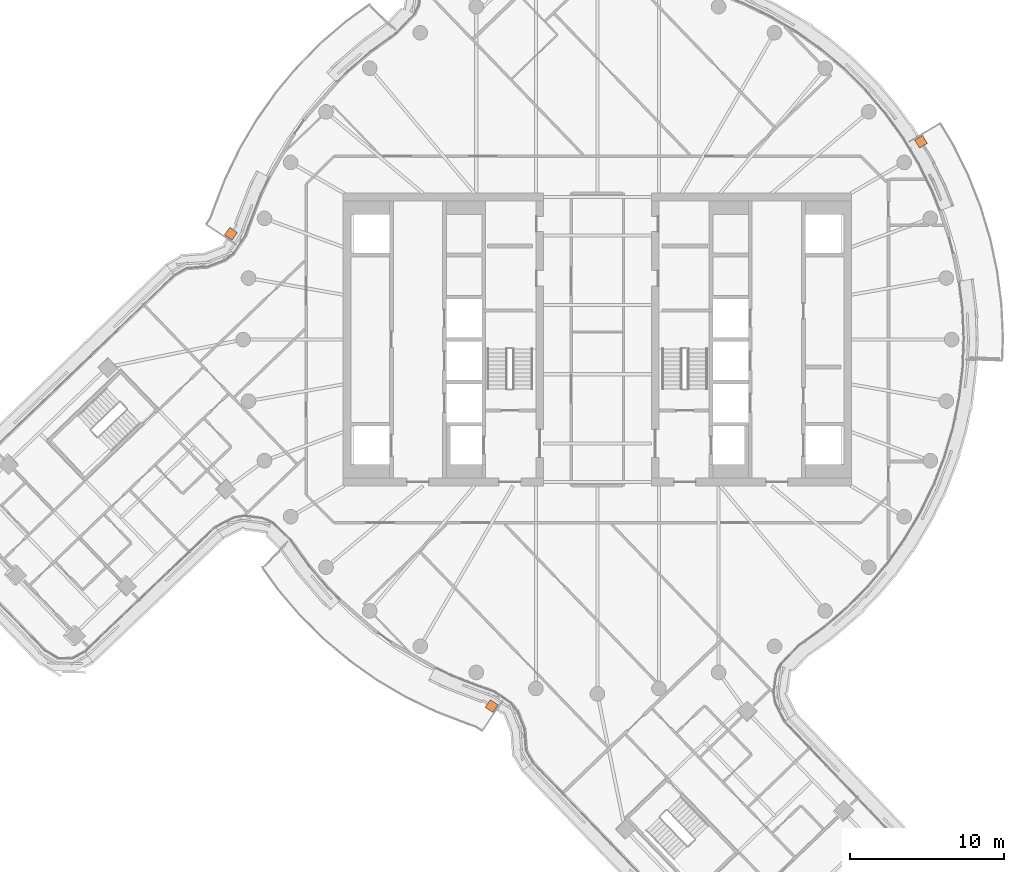
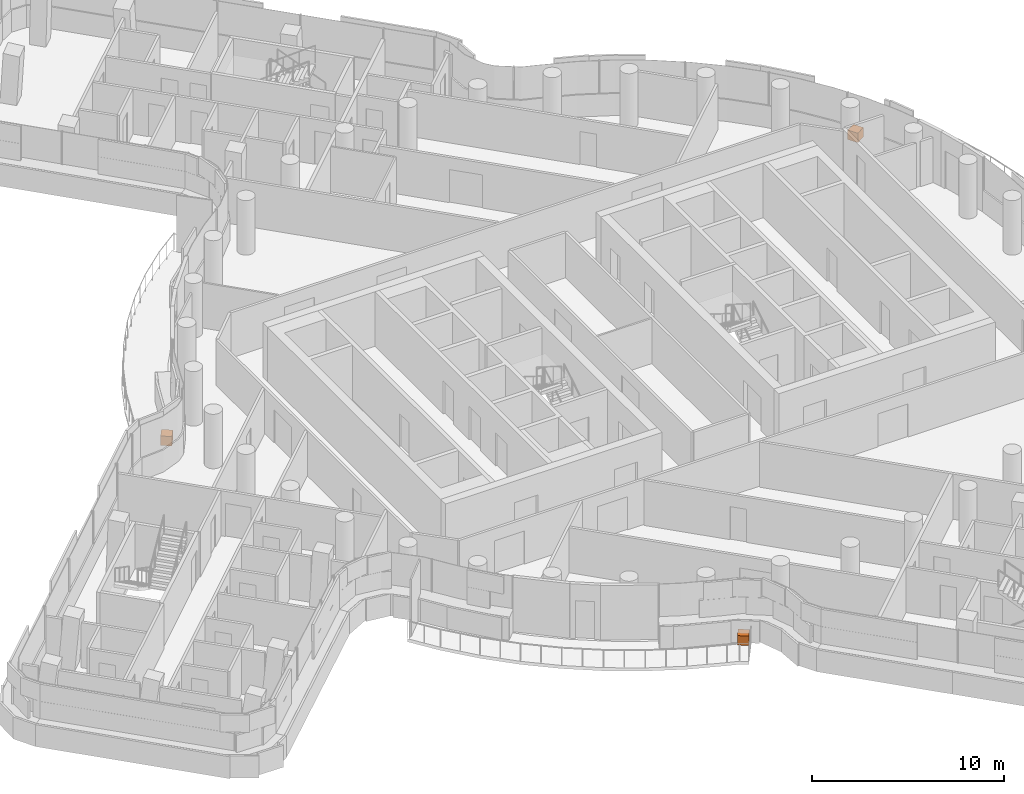
# One storey, part 34 of 34: 3 proxies.
"""IFC4 building model written with IfcOpenShell, lengths in metres."""

from ifc_helpers import new_model, si_unit, direction, frame, origin, origin_2d, place, context, subcontext, project, spatial, rectangle, extrude, material, type_object, element, save


model = new_model("IFC4")

# Units and contexts
model_context = context("Model", 3, precision=1e-05, world=origin(), true_north=direction((0.0, 1.0)))
body_context = subcontext(model_context, "Body", "Model", "MODEL_VIEW")
ifc_project = project(units=[si_unit("LENGTHUNIT", "METRE"), si_unit("AREAUNIT", "SQUARE_METRE"), si_unit("VOLUMEUNIT", "CUBIC_METRE"), si_unit("PLANEANGLEUNIT", "RADIAN"), si_unit("MASSUNIT", "GRAM", prefix="KILO")], contexts=[model_context])

# Site, building, storey
site_placement = place(None, origin())
site = spatial("IfcSite", under=ifc_project, at=site_placement, CompositionType="ELEMENT")
building_placement = place(site_placement, origin())
building = spatial("IfcBuilding", under=site, at=building_placement, Name="Tamarind Cross Interchange Tower", CompositionType="ELEMENT")
storey_placement = place(building_placement, frame((0.0, 0.0, 193.300048828125)))
storey = spatial("IfcBuildingStorey", under=building, at=storey_placement, Name="L48", CompositionType="ELEMENT", Elevation=193.300048828125)

# Proxies
ifc_material = material(Name="Concrete C30", Category="concrete")
building_element_proxy_type = type_object("IfcBuildingElementProxyType", Name="Planter", PredefinedType="USERDEFINED", material=ifc_material)
proxy_1_placement = place(storey_placement, origin())
element("IfcBuildingElementProxy", 1, at=proxy_1_placement, inside=storey, type_object=building_element_proxy_type, Name="PLT-L48-BAL02", ObjectType="Planter", PredefinedType="USERDEFINED", context=body_context, shape_type="SweptSolid", body=[
    extrude(rectangle(XDim=0.60009765625, YDim=0.60009765625, at=origin_2d()), frame((-6.868408203125, -23.791015625, 0.0), z_axis=(0.0, 0.0, 1.0), x_axis=(0.829016203215, -0.559224583515, 0.0)), (0.0, 0.0, 1.0), 0.60009765625),
])
proxy_2_placement = place(storey_placement, origin())
element("IfcBuildingElementProxy", 2, at=proxy_2_placement, inside=storey, type_object=building_element_proxy_type, Name="PLT-L48-BAL06", ObjectType="Planter", PredefinedType="USERDEFINED", context=body_context, shape_type="SweptSolid", body=[
    extrude(rectangle(XDim=0.60009765625, YDim=0.60009765625, at=origin_2d()), frame((21.011962890625, 12.8427734375, 0.0), z_axis=(0.0, 0.0, 1.0), x_axis=(-0.515577308909, 0.856843065292, 0.0)), (0.0, 0.0, 1.0), 0.60009765625),
])
proxy_3_placement = place(storey_placement, origin())
element("IfcBuildingElementProxy", 3, at=proxy_3_placement, inside=storey, type_object=building_element_proxy_type, Name="PLT-L48-BAL10", ObjectType="Planter", PredefinedType="USERDEFINED", context=body_context, shape_type="SweptSolid", body=[
    extrude(rectangle(XDim=0.60009765625, YDim=0.60009765625, at=origin_2d()), frame((-23.791015625, 6.868408203125, 0.0), z_axis=(0.0, 0.0, 1.0), x_axis=(-0.559224583515, -0.829016203215, 0.0)), (0.0, 0.0, 1.0), 0.60009765625),
])

save(model, "model.ifc")
